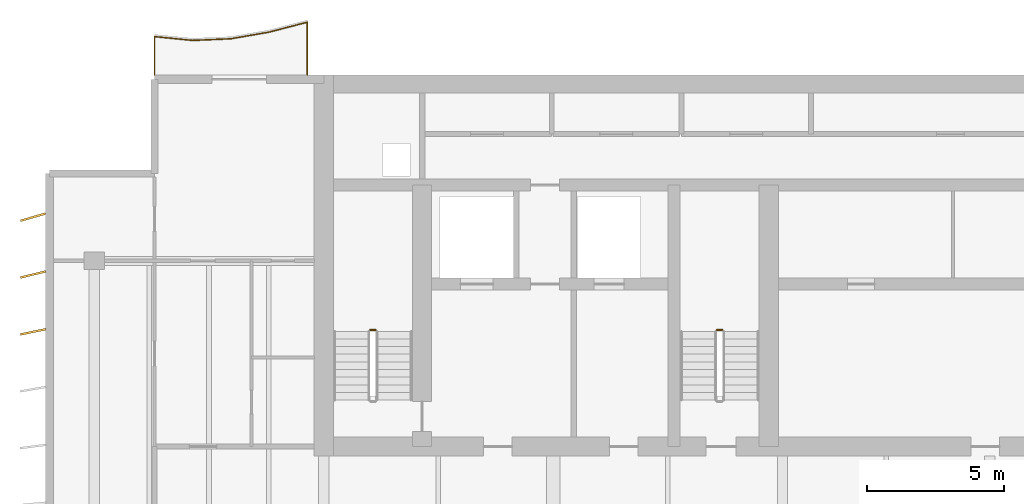
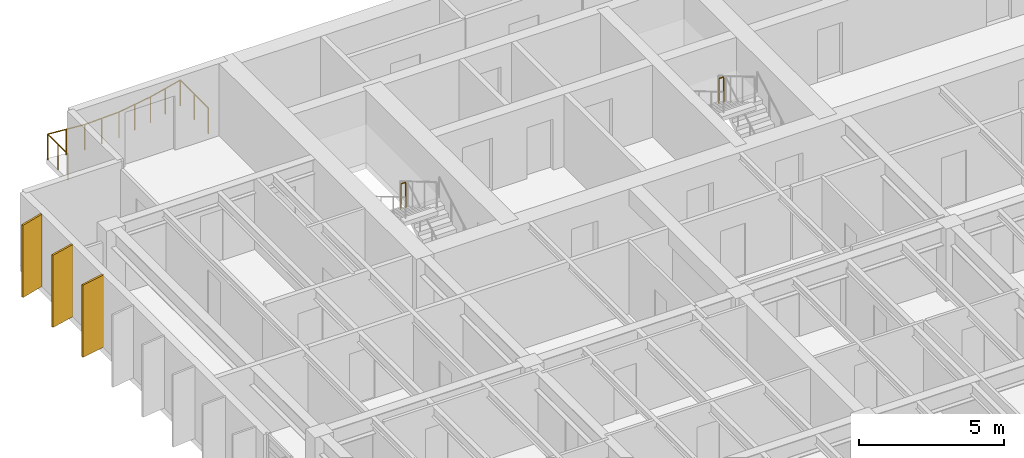
# One storey, part 15 of 16: 3 railings, 3 shading devices.
"""IFC4 building model written with IfcOpenShell, lengths in metres."""

from ifc_helpers import new_model, si_unit, direction, frame, origin, origin_2d, place, context, subcontext, project, spatial, rectangle, circle, extrude, material, material_profile, profile_set, type_object, element, save


model = new_model("IFC4")

# Units and contexts
model_context = context("Model", 3, precision=1e-05, world=origin(), true_north=direction((0.0, 1.0)))
body_context = subcontext(model_context, "Body", "Model", "MODEL_VIEW")
ifc_project = project(units=[si_unit("LENGTHUNIT", "METRE"), si_unit("AREAUNIT", "SQUARE_METRE"), si_unit("VOLUMEUNIT", "CUBIC_METRE"), si_unit("PLANEANGLEUNIT", "RADIAN"), si_unit("MASSUNIT", "GRAM", prefix="KILO")], contexts=[model_context])

# Site, building, storey
site_placement = place(None, origin())
site = spatial("IfcSite", under=ifc_project, at=site_placement, CompositionType="ELEMENT")
building_placement = place(site_placement, origin())
building = spatial("IfcBuilding", under=site, at=building_placement, Name="Caelmar Bay Residences", CompositionType="ELEMENT")
storey_placement = place(building_placement, frame((0.0, 0.0, 233.10009765625)))
storey = spatial("IfcBuildingStorey", under=building, at=storey_placement, Name="L65", CompositionType="ELEMENT", Elevation=233.10009765625)

# Railings
ifc_material_1 = material(Name="Anodised bronze handrail with laminated hurricane glass infill", Category="glass")
railing_type_1 = type_object("IfcRailingType", Name="RL-BAL-1100", PredefinedType="BALUSTRADE", material=ifc_material_1)
railing_placement = place(storey_placement, frame((17.699951171875, 50.60009765625, 0.0)))
element("IfcRailing", 1, at=railing_placement, inside=storey, type_object=railing_type_1, Name="L65 north_west Balcony Balustrade", PredefinedType="BALUSTRADE", context=body_context, shape_type="SweptSolid", body=[
    extrude(circle(Radius=0.02392578125, at=origin_2d()), frame((0.0, 0.0, 1.076171875), z_axis=(0.0, 1.0, 0.0), x_axis=(-1.0, 0.0, 0.0)), (0.0, 0.0, 1.0), 1.94140625),
    extrude(circle(Radius=0.02392578125, at=origin_2d()), frame((0.0, 1.94140625, 1.076171875), z_axis=(-0.968103147298, -0.250551983012, 0.0), x_axis=(0.250551983012, -0.968103147298, 0.0)), (0.0, 0.0, 1.0), 1.446044921875),
    extrude(circle(Radius=0.02392578125, at=origin_2d()), frame((-1.39990234375, 1.5791015625, 1.076171875), z_axis=(-0.985106932591, -0.171942814215, 0.0), x_axis=(0.171942814215, -0.985106932591, 0.0)), (0.0, 0.0, 1.0), 1.42138671875),
    extrude(circle(Radius=0.02392578125, at=origin_2d()), frame((-2.800048828125, 1.334716796875, 1.076171875), z_axis=(-0.999058458158, -0.043384296491, 0.0), x_axis=(0.043384296491, -0.999058458158, 0.0)), (0.0, 0.0, 1.0), 1.401123046875),
    extrude(circle(Radius=0.02392578125, at=origin_2d()), frame((-4.199951171875, 1.27392578125, 1.076171875), z_axis=(-0.99509543912, 0.098919497785, 0.0), x_axis=(-0.098919497785, -0.99509543912, 0.0)), (0.0, 0.0, 1.0), 1.40673828125),
    extrude(circle(Radius=0.02392578125, at=origin_2d()), frame((-5.599853515625, 1.4130859375, 1.076171875), z_axis=(0.0, -1.0, 0.0), x_axis=(1.0, 0.0, 0.0)), (0.0, 0.0, 1.0), 1.4130859375),
    extrude(circle(Radius=0.02099609375, at=origin_2d()), origin(), (0.0, 0.0, 1.0), 1.052001953125),
    extrude(circle(Radius=0.02099609375, at=origin_2d()), frame((0.0, 0.970703125, 0.0)), (0.0, 0.0, 1.0), 1.052001953125),
    extrude(circle(Radius=0.02099609375, at=origin_2d()), frame((0.0, 1.94140625, 0.0)), (0.0, 0.0, 1.0), 1.052001953125),
    extrude(circle(Radius=0.02099609375, at=origin_2d()), frame((-0.699951171875, 1.76025390625, 0.0)), (0.0, 0.0, 1.0), 1.052001953125),
    extrude(circle(Radius=0.02099609375, at=origin_2d()), frame((-1.39990234375, 1.5791015625, 0.0)), (0.0, 0.0, 1.0), 1.052001953125),
    extrude(circle(Radius=0.02099609375, at=origin_2d()), frame((-2.10009765625, 1.45703125, 0.0)), (0.0, 0.0, 1.0), 1.052001953125),
    extrude(circle(Radius=0.02099609375, at=origin_2d()), frame((-2.800048828125, 1.334716796875, 0.0)), (0.0, 0.0, 1.0), 1.052001953125),
    extrude(circle(Radius=0.02099609375, at=origin_2d()), frame((-3.5, 1.30419921875, 0.0)), (0.0, 0.0, 1.0), 1.052001953125),
    extrude(circle(Radius=0.02099609375, at=origin_2d()), frame((-4.199951171875, 1.27392578125, 0.0)), (0.0, 0.0, 1.0), 1.052001953125),
    extrude(circle(Radius=0.02099609375, at=origin_2d()), frame((-4.89990234375, 1.343505859375, 0.0)), (0.0, 0.0, 1.0), 1.052001953125),
    extrude(circle(Radius=0.02099609375, at=origin_2d()), frame((-5.599853515625, 1.4130859375, 0.0)), (0.0, 0.0, 1.0), 1.052001953125),
    extrude(circle(Radius=0.02099609375, at=origin_2d()), frame((-5.599853515625, 0.70654296875, 0.0)), (0.0, 0.0, 1.0), 1.052001953125),
    extrude(circle(Radius=0.02099609375, at=origin_2d()), frame((-5.599853515625, 0.0, 0.0)), (0.0, 0.0, 1.0), 1.052001953125),
])
ifc_material_2 = material(Name="Painted galvanized steel stair guard 1100 mm", Category="steel")
railing_type_2 = type_object("IfcRailingType", Name="RL-GRD-1100", PredefinedType="GUARDRAIL", material=ifc_material_2)
for number, where, name in (
    (2, (20.199951171875, 41.27001953125, 1.64990234375), "L65 ST1 stair guard 2"),
    (3, (32.89990234375, 41.27001953125, 1.64990234375), "L65 ST3 stair guard 2"),
):
    element("IfcRailing", number, at=place(storey_placement, frame(where)), inside=storey, type_object=railing_type_2, Name=name, PredefinedType="GUARDRAIL", context=body_context, shape_type="SweptSolid", body=[
        extrude(circle(Radius=0.02392578125, at=origin_2d()), frame((0.0, 0.0, 1.076171875), z_axis=(-1.0, 0.0, 0.0), x_axis=(0.0, -1.0, 0.0)), (0.0, 0.0, 1.0), 0.199951171875),
        extrude(circle(Radius=0.02099609375, at=origin_2d()), origin(), (0.0, 0.0, 1.0), 1.052001953125),
        extrude(circle(Radius=0.02099609375, at=origin_2d()), frame((-0.199951171875, 0.0, 0.0)), (0.0, 0.0, 1.0), 1.052001953125),
    ])

# Shading devices
ifc_material_3 = material(Name="Anodised architectural bronze aluminium 6063-T6", Category="aluminium")
ifc_material_profile = material_profile(ifc_material_3, rectangle(XDim=0.074951171875, YDim=0.949951171875, at=origin_2d()), Name="BRONZE-FIN-75X950")
ifc_profile_set = profile_set([ifc_material_profile], Name="Anodised architectural bronze aluminium 6063-T6")
shading_device_type = type_object("IfcShadingDeviceType", Name="SHD-FIN-950", PredefinedType="USERDEFINED", material=ifc_profile_set)
for number, where, z_axis, x_axis, name in (
    (4, (7.64990234375, 41.199951171875, 0.0), (0.0, 0.0, 1.0), (-0.2032999874, 0.979116497217, 0.0), "L65 West Bronze Solar Fin 14"),
    (5, (7.64990234375, 43.300048828125, 0.0), (0.0, 0.0, 1.0), (-0.239719743609, 0.970842131618, 0.0), "L65 West Bronze Solar Fin 15"),
    (6, (7.64990234375, 45.39990234375, 0.0), (0.0, 0.0, 1.0), (-0.275637355817, 0.961261695938, 0.0), "L65 West Bronze Solar Fin 16"),
):
    element("IfcShadingDevice", number, at=place(storey_placement, frame(where, z_axis=z_axis, x_axis=x_axis)), inside=storey, type_object=shading_device_type, Name=name, ObjectType="FIN", PredefinedType="USERDEFINED", context=body_context, shape_type="SweptSolid", body=[
        extrude(rectangle(XDim=0.074951171875, YDim=0.949951171875, at=origin_2d()), origin(), (0.0, 0.0, 1.0), 3.0498046875),
    ])

save(model, "model.ifc")
